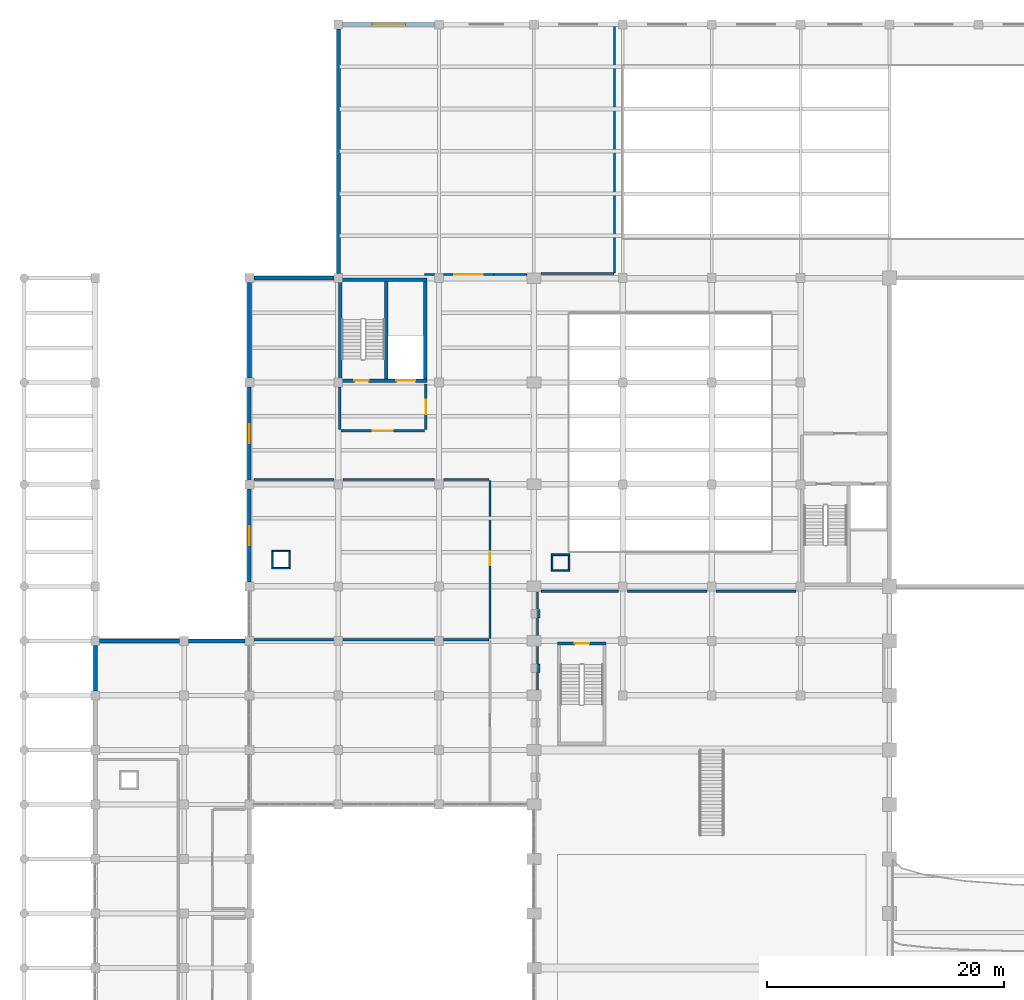
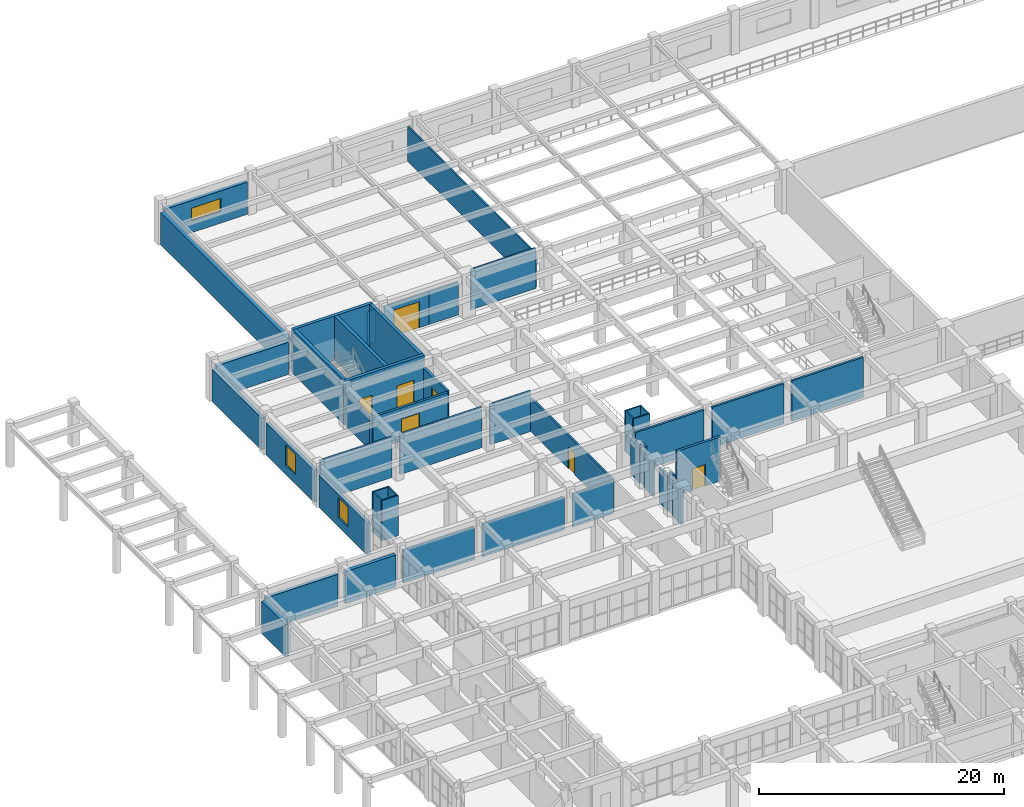
# One storey, part 98 of 116: 47 walls, 7 doors, 3 windows, 10 openings.
"""IFC4 building model written with IfcOpenShell, lengths in metres."""

from ifc_helpers import new_model, si_unit, direction, frame, frame_2d, origin, place, context, subcontext, project, spatial, rectangle, extrude, material, layer, layer_set, type_object, element, fill, save


model = new_model("IFC4")

# Units and contexts
model_context = context("Model", 3, precision=1e-05, world=origin(), true_north=direction((0.0, 1.0)))
body_context = subcontext(model_context, "Body", "Model", "MODEL_VIEW")
ifc_project = project(units=[si_unit("LENGTHUNIT", "METRE"), si_unit("AREAUNIT", "SQUARE_METRE"), si_unit("VOLUMEUNIT", "CUBIC_METRE"), si_unit("PLANEANGLEUNIT", "RADIAN"), si_unit("MASSUNIT", "GRAM", prefix="KILO")], contexts=[model_context])

# Site, building, storey
site_placement = place(None, origin())
site = spatial("IfcSite", under=ifc_project, at=site_placement, CompositionType="ELEMENT")
building_placement = place(site_placement, origin())
building = spatial("IfcBuilding", under=site, at=building_placement, Name="Muzn Square Opera House", CompositionType="ELEMENT")
storey_placement = place(building_placement, frame((0.0, 0.0, 5.39990234375)))
storey = spatial("IfcBuildingStorey", under=building, at=storey_placement, Name="L01", CompositionType="ELEMENT", Elevation=5.39990234375)

# Wall, opening, door
ifc_material_1 = material(Name="Concrete C45/55", Category="concrete")
ifc_layer_1 = layer(ifc_material_1, 0.25, Name="Concrete C45/55", Category="concrete")
ifc_layer_set_1 = layer_set([ifc_layer_1], Name="Concrete C45/55")
wall_type_1 = type_object("IfcWallType", Name="Aux Stair Enclosure Wall 250mm", PredefinedType="SHEAR", material=ifc_layer_set_1)
wall_1_placement = place(storey_placement, frame((45.0, 67.77490234375, 0.0), z_axis=(0.0, 0.0, 1.0), x_axis=(1.0, 0.0, 0.0)))
wall_1 = element("IfcWall", 1, at=wall_1_placement, inside=storey, type_object=wall_type_1, Name="Escape Stair ST-9 Wall N L01", PredefinedType="SHEAR", context=body_context, shape_type="SweptSolid", body=[
    extrude(rectangle(XDim=4.10009765625, YDim=0.25, at=frame_2d((2.050048828125, 0.0))), origin(), (0.0, 0.0, 1.0), 4.400146484375),
])
opening_1_placement = place(wall_1_placement, frame((1.449951171875, 0.0, 0.0)))
opening_1 = element("IfcOpeningElement", 2, at=opening_1_placement, cuts=wall_1, Name="Opening DR-ST12", PredefinedType="OPENING", context=body_context, shape_type="SweptSolid", body=[
    extrude(rectangle(XDim=1.199951171875, YDim=2.14990234375, at=frame_2d((0.60009765625, 1.074951171875))), frame((0.0, 0.135009765625, 0.0), z_axis=(0.0, -1.0, 0.0), x_axis=(1.0, 0.0, 0.0)), (0.0, 0.0, 1.0), 0.27001953125),
])
ifc_material_2 = material(Name="Galvanised painted steel leaf", Category="metal")
door_type_1 = type_object("IfcDoorType", Name="Core Stair Fire Door 1200x2150", OperationType="NOTDEFINED", PredefinedType="DOOR", material=ifc_material_2)
door_1_placement = place(opening_1_placement, origin())
door_1 = element("IfcDoor", 3, at=door_1_placement, inside=storey, type_object=door_type_1, Name="Escape Stair ST-9 Door L01", OperationType="SINGLE_SWING_LEFT", OverallHeight=2.14990234375, OverallWidth=1.199951171875, PredefinedType="DOOR", context=body_context, shape_type="SweptSolid", body=[
    extrude(rectangle(XDim=1.199951171875, YDim=2.14990234375, at=frame_2d((0.60009765625, 1.074951171875))), frame((0.0, 0.02490234375, 0.0), z_axis=(0.0, -1.0, 0.0), x_axis=(1.0, 0.0, 0.0)), (0.0, 0.0, 1.0), 0.050048828125),
])
fill(opening_1, door_1)

# Walls
ifc_layer_2 = layer(ifc_material_1, 0.300048828125, Name="Concrete C45/55", Category="concrete")
ifc_layer_set_2 = layer_set([ifc_layer_2], Name="Concrete C45/55")
wall_type_2 = type_object("IfcWallType", Name="Core Shear Wall 300mm", PredefinedType="SHEAR", material=ifc_layer_set_2)
wall_2_placement = place(storey_placement, frame((26.5, 98.449951171875, 0.0), z_axis=(0.0, 0.0, 1.0), x_axis=(1.0, 0.0, 0.0)))
element("IfcWall", 4, at=wall_2_placement, inside=storey, type_object=wall_type_2, Name="Core C6 Shear Wall SW-C6-L01-N", PredefinedType="SHEAR", context=body_context, shape_type="SweptSolid", body=[
    extrude(rectangle(XDim=7.5, YDim=0.300048828125, at=frame_2d((3.75, 0.0))), origin(), (0.0, 0.0, 1.0), 4.400146484375),
])
for number, where, z_axis, x_axis, name in (
    (5, (26.64990234375, 90.10009765625, 0.0), (0.0, 0.0, 1.0), (0.0, 1.0, 0.0), "Core C6 Shear Wall SW-C6-L01-W"),
    (6, (33.85009765625, 90.10009765625, 0.0), (0.0, 0.0, 1.0), (0.0, 1.0, 0.0), "Core C6 Shear Wall SW-C6-L01-E"),
    (7, (30.550048828125, 90.10009765625, 0.0), (0.0, 0.0, 1.0), (0.0, 1.0, 0.0), "Core C6 Shear Wall SW-C6-L01-DIV"),
):
    element("IfcWall", number, at=place(storey_placement, frame(where, z_axis=z_axis, x_axis=x_axis)), inside=storey, type_object=wall_type_2, Name=name, PredefinedType="SHEAR", context=body_context, shape_type="SweptSolid", body=[
        extrude(rectangle(XDim=8.199951171875, YDim=0.300048828125, at=frame_2d((4.10009765625, 0.0))), origin(), (0.0, 0.0, 1.0), 4.400146484375),
    ])

# Wall, openings, doors
wall_3_placement = place(storey_placement, frame((26.5, 89.949951171875, 0.0), z_axis=(0.0, 0.0, 1.0), x_axis=(1.0, 0.0, 0.0)))
wall_3 = element("IfcWall", 8, at=wall_3_placement, inside=storey, type_object=wall_type_2, Name="Core C6 Front Shear Wall L01", PredefinedType="SHEAR", context=body_context, shape_type="SweptSolid", body=[
    extrude(rectangle(XDim=7.5, YDim=0.300048828125, at=frame_2d((3.75, 0.0))), origin(), (0.0, 0.0, 1.0), 4.400146484375),
])
opening_2_placement = place(wall_3_placement, frame((2.550048828125, 0.0, 0.0), z_axis=(0.0, 0.0, 1.0), x_axis=(-1.0, 0.0, 0.0)))
opening_2 = element("IfcOpeningElement", 9, at=opening_2_placement, cuts=wall_3, Name="Opening DR-ST12", PredefinedType="OPENING", context=body_context, shape_type="SweptSolid", body=[
    extrude(rectangle(XDim=1.199951171875, YDim=2.14990234375, at=frame_2d((0.60009765625, 1.074951171875))), frame((0.0, 0.159912109375, 0.0), z_axis=(0.0, -1.0, 0.0), x_axis=(1.0, 0.0, 0.0)), (0.0, 0.0, 1.0), 0.320068359375),
])
opening_3_placement = place(wall_3_placement, frame((4.89990234375, 0.0, 0.0)))
opening_3 = element("IfcOpeningElement", 10, at=opening_3_placement, cuts=wall_3, Name="Opening LD-02", PredefinedType="OPENING", context=body_context, shape_type="SweptSolid", body=[
    extrude(rectangle(XDim=1.60009765625, YDim=2.25, at=frame_2d((0.800048828125, 1.125))), frame((0.0, 0.159912109375, 0.0), z_axis=(0.0, -1.0, 0.0), x_axis=(1.0, 0.0, 0.0)), (0.0, 0.0, 1.0), 0.320068359375),
])
door_2_placement = place(opening_2_placement, origin())
door_2 = element("IfcDoor", 11, at=door_2_placement, inside=storey, type_object=door_type_1, Name="Core C6 Stair Door L01", OperationType="SINGLE_SWING_RIGHT", OverallHeight=2.14990234375, OverallWidth=1.199951171875, PredefinedType="DOOR", context=body_context, shape_type="SweptSolid", body=[
    extrude(rectangle(XDim=1.199951171875, YDim=2.14990234375, at=frame_2d((0.60009765625, 1.074951171875))), frame((0.0, 0.02490234375, 0.0), z_axis=(0.0, -1.0, 0.0), x_axis=(1.0, 0.0, 0.0)), (0.0, 0.0, 1.0), 0.050048828125),
])
fill(opening_2, door_2)
ifc_material_3 = material(Name="Brushed stainless steel", Category="metal")
door_type_2 = type_object("IfcDoorType", Name="Goods Lift Sliding Door 1600x2250", OperationType="SLIDING_TO_LEFT", PredefinedType="DOOR", material=ifc_material_3)
door_3_placement = place(opening_3_placement, origin())
door_3 = element("IfcDoor", 12, at=door_3_placement, inside=storey, type_object=door_type_2, Name="Lift GL-1 Sliding Landing Door L01", OperationType="SLIDING_TO_LEFT", OverallHeight=2.25, OverallWidth=1.60009765625, PredefinedType="DOOR", context=body_context, shape_type="SweptSolid", body=[
    extrude(rectangle(XDim=1.60009765625, YDim=2.25, at=frame_2d((0.800048828125, 1.125))), frame((0.0, 0.02490234375, 0.0), z_axis=(0.0, -1.0, 0.0), x_axis=(1.0, 0.0, 0.0)), (0.0, 0.0, 1.0), 0.050048828125),
])
fill(opening_3, door_3)

# Walls
ifc_material_4 = material(Name="Acoustic gypsum stud partition", Category="gypsum")
ifc_layer_3 = layer(ifc_material_4, 0.199951171875, Name="Acoustic gypsum stud partition", Category="gypsum")
ifc_layer_set_3 = layer_set([ifc_layer_3], Name="Acoustic gypsum stud partition")
wall_type_3 = type_object("IfcWallType", Name="Corridor Rated Partition 200mm", PredefinedType="PARTITIONING", material=ifc_layer_set_3)
for number, where, z_axis, x_axis, name in (
    (13, (43.300048828125, 66.070068359375, 0.0), (0.0, 0.0, 1.0), (0.0, 1.0, 0.0), "Interior Partition PW-L01-0147"),
    (14, (43.300048828125, 68.469970703125, 0.0), (0.0, 0.0, 1.0), (0.0, 1.0, 0.0), "Interior Partition PW-L01-0148"),
    (15, (43.300048828125, 63.8701171875, 0.0), (0.0, 0.0, 1.0), (0.0, 1.0, 0.0), "Interior Partition PW-L01-0152"),
    (16, (43.300048828125, 70.669921875, 0.0), (0.0, 0.0, 1.0), (0.0, 1.0, 0.0), "Interior Partition PW-L01-0154"),
):
    element("IfcWall", number, at=place(storey_placement, frame(where, z_axis=z_axis, x_axis=x_axis)), inside=storey, type_object=wall_type_3, Name=name, PredefinedType="PARTITIONING", context=body_context, shape_type="SweptSolid", body=[
        extrude(rectangle(XDim=1.4599609375, YDim=0.199951171875, at=frame_2d((0.72998046875, 0.0))), origin(), (0.0, 0.0, 1.0), 3.5),
    ])
wall_4_placement = place(storey_placement, frame((43.6201171875, 72.199951171875, 0.0), z_axis=(0.0, 0.0, 1.0), x_axis=(1.0, 0.0, 0.0)))
element("IfcWall", 17, at=wall_4_placement, inside=storey, type_object=wall_type_3, Name="Room Enclosure Partition PW-L01-0192", PredefinedType="PARTITIONING", context=body_context, shape_type="SweptSolid", body=[
    extrude(rectangle(XDim=6.5, YDim=0.199951171875, at=frame_2d((3.25, 0.0))), origin(), (0.0, 0.0, 1.0), 4.02001953125),
])
for number, where, z_axis, x_axis, name in (
    (18, (50.8798828125, 72.199951171875, 0.0), (0.0, 0.0, 1.0), (1.0, 0.0, 0.0), "Room Enclosure Partition PW-L01-0193"),
    (19, (58.3798828125, 72.199951171875, 0.0), (0.0, 0.0, 1.0), (1.0, 0.0, 0.0), "Room Enclosure Partition PW-L01-0194"),
):
    element("IfcWall", number, at=place(storey_placement, frame(where, z_axis=z_axis, x_axis=x_axis)), inside=storey, type_object=wall_type_3, Name=name, PredefinedType="PARTITIONING", context=body_context, shape_type="SweptSolid", body=[
        extrude(rectangle(XDim=6.740234375, YDim=0.199951171875, at=frame_2d((3.3701171875, 0.0))), origin(), (0.0, 0.0, 1.0), 4.02001953125),
    ])
for number, where, z_axis, x_axis, name in (
    (20, (43.39990234375, 65.35009765625, 0.0), (0.0, 0.0, 1.0), (0.0, 1.0, 0.0), "Room Enclosure Partition PW-L01-0197"),
    (21, (43.39990234375, 69.949951171875, 0.0), (0.0, 0.0, 1.0), (0.0, 1.0, 0.0), "Room Enclosure Partition PW-L01-0198"),
):
    element("IfcWall", number, at=place(storey_placement, frame(where, z_axis=z_axis, x_axis=x_axis)), inside=storey, type_object=wall_type_3, Name=name, PredefinedType="PARTITIONING", context=body_context, shape_type="SweptSolid", body=[
        extrude(rectangle(XDim=0.699951171875, YDim=0.199951171875, at=frame_2d((0.35009765625, 0.0))), origin(), (0.0, 0.0, 1.0), 4.02001953125),
    ])
ifc_layer_4 = layer(ifc_material_4, 0.179931640625, Name="Acoustic gypsum stud partition", Category="gypsum")
ifc_layer_set_4 = layer_set([ifc_layer_4], Name="Acoustic gypsum stud partition")
wall_type_4 = type_object("IfcWallType", Name="Dressing Suite Partition 180mm", PredefinedType="PARTITIONING", material=ifc_layer_set_4)
wall_5_placement = place(storey_placement, frame((26.89501953125, 68.10009765625, 0.0), z_axis=(0.0, 0.0, 1.0), x_axis=(1.0, 0.0, 0.0)))
element("IfcWall", 22, at=wall_5_placement, inside=storey, type_object=wall_type_4, Name="Interior Partition PW-L01-0175", PredefinedType="PARTITIONING", context=body_context, shape_type="SweptSolid", body=[
    extrude(rectangle(XDim=7.7099609375, YDim=0.179931640625, at=frame_2d((3.85498046875, 0.0))), origin(), (0.0, 0.0, 1.0), 3.300048828125),
])
wall_6_placement = place(storey_placement, frame((19.39990234375, 68.10009765625, 0.0), z_axis=(0.0, 0.0, 1.0), x_axis=(1.0, 0.0, 0.0)))
element("IfcWall", 23, at=wall_6_placement, inside=storey, type_object=wall_type_4, Name="Interior Partition PW-L01-0176", PredefinedType="PARTITIONING", context=body_context, shape_type="SweptSolid", body=[
    extrude(rectangle(XDim=6.705078125, YDim=0.179931640625, at=frame_2d((3.3525390625, 0.0))), origin(), (0.0, 0.0, 1.0), 3.300048828125),
])
wall_7_placement = place(storey_placement, frame((35.39501953125, 68.10009765625, 0.0), z_axis=(0.0, 0.0, 1.0), x_axis=(1.0, 0.0, 0.0)))
element("IfcWall", 24, at=wall_7_placement, inside=storey, type_object=wall_type_4, Name="Interior Partition PW-L01-0177", PredefinedType="PARTITIONING", context=body_context, shape_type="SweptSolid", body=[
    extrude(rectangle(XDim=3.804931640625, YDim=0.179931640625, at=frame_2d((1.90234375, 0.0))), origin(), (0.0, 0.0, 1.0), 3.300048828125),
])

# Wall, opening, door
wall_8_placement = place(storey_placement, frame((39.300048828125, 68.199951171875, 0.0), z_axis=(0.0, 0.0, 1.0), x_axis=(0.0, 1.0, 0.0)))
wall_8 = element("IfcWall", 25, at=wall_8_placement, inside=storey, type_object=wall_type_4, Name="Interior Partition PW-L01-0179", PredefinedType="PARTITIONING", context=body_context, shape_type="SweptSolid", body=[
    extrude(rectangle(XDim=13.324951171875, YDim=0.179931640625, at=frame_2d((6.66259765625, 0.0))), origin(), (0.0, 0.0, 1.0), 3.300048828125),
])
opening_4_placement = place(wall_8_placement, frame((6.175048828125, 0.0, 0.0)))
opening_4 = element("IfcOpeningElement", 26, at=opening_4_placement, cuts=wall_8, Name="Opening DR-CD10", PredefinedType="OPENING", context=body_context, shape_type="SweptSolid", body=[
    extrude(rectangle(XDim=1.050048828125, YDim=2.14990234375, at=frame_2d((0.52490234375, 1.074951171875))), frame((0.0, 0.099853515625, 0.0), z_axis=(0.0, -1.0, 0.0), x_axis=(1.0, 0.0, 0.0)), (0.0, 0.0, 1.0), 0.199951171875),
])
ifc_material_5 = material(Name="Acoustic hardwood leaf", Category="wood")
door_type_3 = type_object("IfcDoorType", Name="Chorus Dressing Door 1050x2150", OperationType="NOTDEFINED", PredefinedType="DOOR", material=ifc_material_5)
door_4_placement = place(opening_4_placement, origin())
door_4 = element("IfcDoor", 27, at=door_4_placement, inside=storey, type_object=door_type_3, Name="Chorus Dressing Room Men Door DR-L01-0062", OperationType="SINGLE_SWING_LEFT", OverallHeight=2.14990234375, OverallWidth=1.050048828125, PredefinedType="DOOR", context=body_context, shape_type="SweptSolid", body=[
    extrude(rectangle(XDim=1.050048828125, YDim=2.14990234375, at=frame_2d((0.52490234375, 1.074951171875))), frame((0.0, 0.02490234375, 0.0), z_axis=(0.0, -1.0, 0.0), x_axis=(1.0, 0.0, 0.0)), (0.0, 0.0, 1.0), 0.050048828125),
])
fill(opening_4, door_4)

# Walls
wall_9_placement = place(storey_placement, frame((19.3798828125, 81.60009765625, 0.0), z_axis=(0.0, 0.0, 1.0), x_axis=(1.0, 0.0, 0.0)))
element("IfcWall", 28, at=wall_9_placement, inside=storey, type_object=wall_type_4, Name="Room Enclosure Partition PW-L01-0230", PredefinedType="PARTITIONING", context=body_context, shape_type="SweptSolid", body=[
    extrude(rectangle(XDim=6.740234375, YDim=0.179931640625, at=frame_2d((3.3701171875, 0.0))), origin(), (0.0, 0.0, 1.0), 4.02001953125),
])
wall_10_placement = place(storey_placement, frame((26.8798828125, 81.60009765625, 0.0), z_axis=(0.0, 0.0, 1.0), x_axis=(1.0, 0.0, 0.0)))
element("IfcWall", 29, at=wall_10_placement, inside=storey, type_object=wall_type_4, Name="Room Enclosure Partition PW-L01-0231", PredefinedType="PARTITIONING", context=body_context, shape_type="SweptSolid", body=[
    extrude(rectangle(XDim=7.740234375, YDim=0.179931640625, at=frame_2d((3.8701171875, 0.0))), origin(), (0.0, 0.0, 1.0), 4.02001953125),
])
wall_11_placement = place(storey_placement, frame((35.3798828125, 81.60009765625, 0.0), z_axis=(0.0, 0.0, 1.0), x_axis=(1.0, 0.0, 0.0)))
element("IfcWall", 30, at=wall_11_placement, inside=storey, type_object=wall_type_4, Name="Room Enclosure Partition PW-L01-0232", PredefinedType="PARTITIONING", context=body_context, shape_type="SweptSolid", body=[
    extrude(rectangle(XDim=3.820068359375, YDim=0.179931640625, at=frame_2d((1.91015625, 0.0))), origin(), (0.0, 0.0, 1.0), 4.02001953125),
])

# Wall, opening, window
ifc_material_6 = material(Name="Concrete C40/50", Category="concrete")
ifc_layer_5 = layer(ifc_material_6, 0.31005859375, Name="Concrete C40/50", Category="concrete")
ifc_layer_set_5 = layer_set([ifc_layer_5], Name="Concrete C40/50")
wall_type_5 = type_object("IfcWallType", Name="Exterior Gallery Facade Wall 310mm", PredefinedType="SOLIDWALL", material=ifc_layer_set_5)
wall_12_placement = place(storey_placement, frame((19.0, 72.97509765625, 0.0), z_axis=(0.0, 0.0, 1.0), x_axis=(0.0, 1.0, 0.0)))
wall_12 = element("IfcWall", 31, at=wall_12_placement, inside=storey, type_object=wall_type_5, Name="Exterior Facade Wall EW-L01-079", PredefinedType="SOLIDWALL", context=body_context, shape_type="SweptSolid", body=[
    extrude(rectangle(XDim=7.849853515625, YDim=0.31005859375, at=frame_2d((3.9248046875, 0.0))), origin(), (0.0, 0.0, 1.0), 3.2001953125),
])
opening_5_placement = place(wall_12_placement, frame((3.10498046875, 0.0, 0.89990234375)))
opening_5 = element("IfcOpeningElement", 32, at=opening_5_placement, cuts=wall_12, Name="Opening WN-A1620", PredefinedType="OPENING", context=body_context, shape_type="SweptSolid", body=[
    extrude(rectangle(XDim=1.60009765625, YDim=2.0, at=frame_2d((0.800048828125, 1.0))), frame((0.0, 0.1650390625, 0.0), z_axis=(0.0, -1.0, 0.0), x_axis=(1.0, 0.0, 0.0)), (0.0, 0.0, 1.0), 0.330078125),
])
ifc_material_7 = material(Name="Low-E laminated acoustic double glazing", Category="glass")
window_type_1 = type_object("IfcWindowType", Name="Chorus Dressing Window 1600x2000", PartitioningType="DOUBLE_PANEL_VERTICAL", PredefinedType="WINDOW", material=ifc_material_7)
window_1_placement = place(opening_5_placement, origin())
window_1 = element("IfcWindow", 33, at=window_1_placement, inside=storey, type_object=window_type_1, Name="Chorus Dressing Window 1600x2000 EW-L01-079-WN01", OverallHeight=2.0, OverallWidth=1.60009765625, PartitioningType="SINGLE_PANEL", PredefinedType="WINDOW", context=body_context, shape_type="SweptSolid", body=[
    extrude(rectangle(XDim=1.60009765625, YDim=2.0, at=frame_2d((0.800048828125, 1.0))), frame((0.0, 0.030029296875, 0.0), z_axis=(0.0, -1.0, 0.0), x_axis=(1.0, 0.0, 0.0)), (0.0, 0.0, 1.0), 0.06005859375),
])
fill(opening_5, window_1)

wall_13_placement = place(storey_placement, frame((19.0, 81.574951171875, 0.0), z_axis=(0.0, 0.0, 1.0), x_axis=(0.0, 1.0, 0.0)))
wall_13 = element("IfcWall", 34, at=wall_13_placement, inside=storey, type_object=wall_type_5, Name="Exterior Facade Wall EW-L01-080", PredefinedType="SOLIDWALL", context=body_context, shape_type="SweptSolid", body=[
    extrude(rectangle(XDim=7.85009765625, YDim=0.31005859375, at=frame_2d((3.925048828125, 0.0))), origin(), (0.0, 0.0, 1.0), 3.2001953125),
])
opening_6_placement = place(wall_13_placement, frame((3.10498046875, 0.0, 0.89990234375)))
opening_6 = element("IfcOpeningElement", 35, at=opening_6_placement, cuts=wall_13, Name="Opening WN-A1620", PredefinedType="OPENING", context=body_context, shape_type="SweptSolid", body=[
    extrude(rectangle(XDim=1.60009765625, YDim=2.0, at=frame_2d((0.800048828125, 1.0))), frame((0.0, 0.1650390625, 0.0), z_axis=(0.0, -1.0, 0.0), x_axis=(1.0, 0.0, 0.0)), (0.0, 0.0, 1.0), 0.330078125),
])
window_2_placement = place(opening_6_placement, origin())
window_2 = element("IfcWindow", 36, at=window_2_placement, inside=storey, type_object=window_type_1, Name="Chorus Dressing Window 1600x2000 EW-L01-080-WN01", OverallHeight=2.0, OverallWidth=1.60009765625, PartitioningType="SINGLE_PANEL", PredefinedType="WINDOW", context=body_context, shape_type="SweptSolid", body=[
    extrude(rectangle(XDim=1.60009765625, YDim=2.0, at=frame_2d((0.800048828125, 1.0))), frame((0.0, 0.030029296875, 0.0), z_axis=(0.0, -1.0, 0.0), x_axis=(1.0, 0.0, 0.0)), (0.0, 0.0, 1.0), 0.06005859375),
])
fill(opening_6, window_2)

ifc_layer_6 = layer(ifc_material_6, 0.340087890625, Name="Concrete C40/50", Category="concrete")
ifc_layer_set_6 = layer_set([ifc_layer_6], Name="Concrete C40/50")
wall_type_6 = type_object("IfcWallType", Name="Exterior Insulated Spandrel Wall 340mm", PredefinedType="SOLIDWALL", material=ifc_layer_set_6)
wall_14_placement = place(storey_placement, frame((26.875, 120.0, 0.0), z_axis=(0.0, 0.0, 1.0), x_axis=(1.0, 0.0, 0.0)))
wall_14 = element("IfcWall", 37, at=wall_14_placement, inside=storey, type_object=wall_type_6, Name="Exterior Facade Wall EW-L01-043", PredefinedType="SOLIDWALL", context=body_context, shape_type="SweptSolid", body=[
    extrude(rectangle(XDim=7.75, YDim=0.340087890625, at=frame_2d((3.875, 0.0))), origin(), (0.0, 0.0, 1.0), 3.2001953125),
])
opening_7_placement = place(wall_14_placement, frame((2.47509765625, 0.0, 1.14990234375)))
opening_7 = element("IfcOpeningElement", 38, at=opening_7_placement, cuts=wall_14, Name="Opening WN-S2813", PredefinedType="OPENING", context=body_context, shape_type="SweptSolid", body=[
    extrude(rectangle(XDim=2.800048828125, YDim=1.300048828125, at=frame_2d((1.39990234375, 0.64990234375))), frame((0.0, 0.179931640625, 0.0), z_axis=(0.0, -1.0, 0.0), x_axis=(1.0, 0.0, 0.0)), (0.0, 0.0, 1.0), 0.360107421875),
])
window_type_2 = type_object("IfcWindowType", Name="Scenery Clerestory Window 2800x1300", PartitioningType="DOUBLE_PANEL_HORIZONTAL", PredefinedType="WINDOW", material=ifc_material_7)
window_3_placement = place(opening_7_placement, origin())
window_3 = element("IfcWindow", 39, at=window_3_placement, inside=storey, type_object=window_type_2, Name="Scenery Clerestory Window 2800x1300 EW-L01-043-WN01", OverallHeight=1.300048828125, OverallWidth=2.800048828125, PartitioningType="SINGLE_PANEL", PredefinedType="WINDOW", context=body_context, shape_type="SweptSolid", body=[
    extrude(rectangle(XDim=2.800048828125, YDim=1.300048828125, at=frame_2d((1.39990234375, 0.64990234375))), frame((0.0, 0.030029296875, 0.0), z_axis=(0.0, -1.0, 0.0), x_axis=(1.0, 0.0, 0.0)), (0.0, 0.0, 1.0), 0.06005859375),
])
fill(opening_7, window_3)

# Walls
wall_15_placement = place(storey_placement, frame((6.0, 63.77490234375, 0.0), z_axis=(0.0, 0.0, 1.0), x_axis=(0.0, 1.0, 0.0)))
element("IfcWall", 40, at=wall_15_placement, inside=storey, type_object=wall_type_6, Name="Exterior Facade Wall EW-L01-149", PredefinedType="SOLIDWALL", context=body_context, shape_type="SweptSolid", body=[
    extrude(rectangle(XDim=3.85009765625, YDim=0.340087890625, at=frame_2d((1.925048828125, 0.0))), origin(), (0.0, 0.0, 1.0), 3.2001953125),
])
wall_16_placement = place(storey_placement, frame((6.375, 68.0, 0.0), z_axis=(0.0, 0.0, 1.0), x_axis=(1.0, 0.0, 0.0)))
element("IfcWall", 41, at=wall_16_placement, inside=storey, type_object=wall_type_6, Name="Exterior Facade Wall EW-L01-150", PredefinedType="SOLIDWALL", context=body_context, shape_type="SweptSolid", body=[
    extrude(rectangle(XDim=6.75, YDim=0.340087890625, at=frame_2d((3.375, 0.0))), origin(), (0.0, 0.0, 1.0), 3.2001953125),
])
wall_17_placement = place(storey_placement, frame((13.875, 68.0, 0.0), z_axis=(0.0, 0.0, 1.0), x_axis=(1.0, 0.0, 0.0)))
element("IfcWall", 42, at=wall_17_placement, inside=storey, type_object=wall_type_6, Name="Exterior Facade Wall EW-L01-151", PredefinedType="SOLIDWALL", context=body_context, shape_type="SweptSolid", body=[
    extrude(rectangle(XDim=4.75, YDim=0.340087890625, at=frame_2d((2.375, 0.0))), origin(), (0.0, 0.0, 1.0), 3.2001953125),
])
wall_18_placement = place(storey_placement, frame((19.0, 90.175048828125, 0.0), z_axis=(0.0, 0.0, 1.0), x_axis=(0.0, 1.0, 0.0)))
element("IfcWall", 43, at=wall_18_placement, inside=storey, type_object=wall_type_6, Name="Exterior Facade Wall EW-L01-152", PredefinedType="SOLIDWALL", context=body_context, shape_type="SweptSolid", body=[
    extrude(rectangle(XDim=8.050048828125, YDim=0.340087890625, at=frame_2d((4.02490234375, 0.0))), origin(), (0.0, 0.0, 1.0), 3.2001953125),
])
wall_19_placement = place(storey_placement, frame((19.375, 98.60009765625, 0.0), z_axis=(0.0, 0.0, 1.0), x_axis=(1.0, 0.0, 0.0)))
element("IfcWall", 44, at=wall_19_placement, inside=storey, type_object=wall_type_6, Name="Exterior Facade Wall EW-L01-153", PredefinedType="SOLIDWALL", context=body_context, shape_type="SweptSolid", body=[
    extrude(rectangle(XDim=6.75, YDim=0.340087890625, at=frame_2d((3.375, 0.0))), origin(), (0.0, 0.0, 1.0), 3.2001953125),
])
wall_20_placement = place(storey_placement, frame((26.5, 98.97509765625, 0.0), z_axis=(0.0, 0.0, 1.0), x_axis=(0.0, 1.0, 0.0)))
element("IfcWall", 45, at=wall_20_placement, inside=storey, type_object=wall_type_6, Name="Exterior Facade Wall EW-L01-154", PredefinedType="SOLIDWALL", context=body_context, shape_type="SweptSolid", body=[
    extrude(rectangle(XDim=20.64990234375, YDim=0.340087890625, at=frame_2d((10.324951171875, 0.0))), origin(), (0.0, 0.0, 1.0), 3.2001953125),
])

# Wall, opening, door
ifc_layer_7 = layer(ifc_material_6, 0.219970703125, Name="Concrete C40/50", Category="concrete")
ifc_layer_set_7 = layer_set([ifc_layer_7], Name="Concrete C40/50")
wall_type_7 = type_object("IfcWallType", Name="Lift Lobby Wall 220mm", PredefinedType="SOLIDWALL", material=ifc_layer_set_7)
wall_21_placement = place(storey_placement, frame((26.719970703125, 85.7099609375, 0.0), z_axis=(0.0, 0.0, 1.0), x_axis=(1.0, 0.0, 0.0)))
wall_21 = element("IfcWall", 46, at=wall_21_placement, inside=storey, type_object=wall_type_7, Name="Lobby C6 Enclosure Wall L01", PredefinedType="SOLIDWALL", context=body_context, shape_type="SweptSolid", body=[
    extrude(rectangle(XDim=7.06005859375, YDim=0.219970703125, at=frame_2d((3.530029296875, 0.0))), origin(), (0.0, 0.0, 1.0), 3.300048828125),
])
opening_8_placement = place(wall_21_placement, frame((4.3798828125, 0.0, 0.0), z_axis=(0.0, 0.0, 1.0), x_axis=(-1.0, 0.0, 0.0)))
opening_8 = element("IfcOpeningElement", 47, at=opening_8_placement, cuts=wall_21, Name="Opening DR-LL17", PredefinedType="OPENING", context=body_context, shape_type="SweptSolid", body=[
    extrude(rectangle(XDim=1.699951171875, YDim=2.179931640625, at=frame_2d((0.85009765625, 1.08984375))), frame((0.0, 0.119873046875, 0.0), z_axis=(0.0, -1.0, 0.0), x_axis=(1.0, 0.0, 0.0)), (0.0, 0.0, 1.0), 0.239990234375),
])
door_type_4 = type_object("IfcDoorType", Name="Lift Lobby Double Door 1700x2180", OperationType="DOUBLE_DOOR_SINGLE_SWING", PredefinedType="DOOR", material=ifc_material_5)
door_5_placement = place(opening_8_placement, origin())
door_5 = element("IfcDoor", 48, at=door_5_placement, inside=storey, type_object=door_type_4, Name="Lobby C6 Fire Door L01", OperationType="DOUBLE_DOOR_SINGLE_SWING", OverallHeight=2.179931640625, OverallWidth=1.699951171875, PredefinedType="DOOR", context=body_context, shape_type="SweptSolid", body=[
    extrude(rectangle(XDim=1.699951171875, YDim=2.179931640625, at=frame_2d((0.85009765625, 1.08984375))), frame((0.0, 0.02490234375, 0.0), z_axis=(0.0, -1.0, 0.0), x_axis=(1.0, 0.0, 0.0)), (0.0, 0.0, 1.0), 0.050048828125),
])
fill(opening_8, door_5)

# Wall
wall_22_placement = place(storey_placement, frame((26.610107421875, 85.820068359375, 0.0), z_axis=(0.0, 0.0, 1.0), x_axis=(0.0, 1.0, 0.0)))
element("IfcWall", 49, at=wall_22_placement, inside=storey, type_object=wall_type_7, Name="Lobby C6 Side Wall W L01", PredefinedType="SOLIDWALL", context=body_context, shape_type="SweptSolid", body=[
    extrude(rectangle(XDim=3.829833984375, YDim=0.219970703125, at=frame_2d((1.9150390625, 0.0))), origin(), (0.0, 0.0, 1.0), 3.300048828125),
])

# Wall, opening, door
wall_23_placement = place(storey_placement, frame((33.889892578125, 85.820068359375, 0.0), z_axis=(0.0, 0.0, 1.0), x_axis=(0.0, 1.0, 0.0)))
wall_23 = element("IfcWall", 50, at=wall_23_placement, inside=storey, type_object=wall_type_7, Name="Lobby C6 Side Wall E L01", PredefinedType="SOLIDWALL", context=body_context, shape_type="SweptSolid", body=[
    extrude(rectangle(XDim=3.829833984375, YDim=0.219970703125, at=frame_2d((1.9150390625, 0.0))), origin(), (0.0, 0.0, 1.0), 3.300048828125),
])
opening_9_placement = place(wall_23_placement, frame((2.514892578125, 0.0, 0.0), z_axis=(0.0, 0.0, 1.0), x_axis=(-1.0, 0.0, 0.0)))
opening_9 = element("IfcOpeningElement", 51, at=opening_9_placement, cuts=wall_23, Name="Opening DR-ST12", PredefinedType="OPENING", context=body_context, shape_type="SweptSolid", body=[
    extrude(rectangle(XDim=1.199951171875, YDim=2.14990234375, at=frame_2d((0.60009765625, 1.074951171875))), frame((0.0, 0.119873046875, 0.0), z_axis=(0.0, -1.0, 0.0), x_axis=(1.0, 0.0, 0.0)), (0.0, 0.0, 1.0), 0.239990234375),
])
door_6_placement = place(opening_9_placement, origin())
door_6 = element("IfcDoor", 52, at=door_6_placement, inside=storey, type_object=door_type_1, Name="Lobby C6 Side Door E L01", OperationType="SINGLE_SWING_LEFT", OverallHeight=2.14990234375, OverallWidth=1.199951171875, PredefinedType="DOOR", context=body_context, shape_type="SweptSolid", body=[
    extrude(rectangle(XDim=1.199951171875, YDim=2.14990234375, at=frame_2d((0.60009765625, 1.074951171875))), frame((0.0, 0.02490234375, 0.0), z_axis=(0.0, -1.0, 0.0), x_axis=(1.0, 0.0, 0.0)), (0.0, 0.0, 1.0), 0.050048828125),
])
fill(opening_9, door_6)

ifc_layer_8 = layer(ifc_material_4, 0.14990234375, Name="Acoustic gypsum stud partition", Category="gypsum")
ifc_layer_set_8 = layer_set([ifc_layer_8], Name="Acoustic gypsum stud partition")
wall_type_8 = type_object("IfcWallType", Name="Office Acoustic Partition 150mm", PredefinedType="PARTITIONING", material=ifc_layer_set_8)
wall_24_placement = place(storey_placement, frame((35.39501953125, 98.89990234375, 0.0), z_axis=(0.0, 0.0, 1.0), x_axis=(1.0, 0.0, 0.0)))
wall_24 = element("IfcWall", 53, at=wall_24_placement, inside=storey, type_object=wall_type_8, Name="Interior Partition PW-L01-0186", PredefinedType="PARTITIONING", context=body_context, shape_type="SweptSolid", body=[
    extrude(rectangle(XDim=4.205078125, YDim=0.14990234375, at=frame_2d((2.1025390625, 0.0))), origin(), (0.0, 0.0, 1.0), 3.300048828125),
])
opening_10_placement = place(wall_24_placement, frame((0.902587890625, 0.0, 0.0)))
opening_10 = element("IfcOpeningElement", 54, at=opening_10_placement, cuts=wall_24, Name="Opening DR-SC24", PredefinedType="OPENING", context=body_context, shape_type="SweptSolid", body=[
    extrude(rectangle(XDim=2.39990234375, YDim=2.60009765625, at=frame_2d((1.199951171875, 1.300048828125))), frame((0.0, 0.0849609375, 0.0), z_axis=(0.0, -1.0, 0.0), x_axis=(1.0, 0.0, 0.0)), (0.0, 0.0, 1.0), 0.169921875),
])
door_type_5 = type_object("IfcDoorType", Name="Stage Scenery Double Door 2400x2600", OperationType="DOUBLE_DOOR_SINGLE_SWING", PredefinedType="DOOR", material=ifc_material_2)
door_7_placement = place(opening_10_placement, origin())
door_7 = element("IfcDoor", 55, at=door_7_placement, inside=storey, type_object=door_type_5, Name="Backstage Audio Crew Room Door DR-L01-0068", OperationType="DOUBLE_DOOR_SINGLE_SWING", OverallHeight=2.60009765625, OverallWidth=2.39990234375, PredefinedType="DOOR", context=body_context, shape_type="SweptSolid", body=[
    extrude(rectangle(XDim=2.39990234375, YDim=2.60009765625, at=frame_2d((1.199951171875, 1.300048828125))), frame((0.0, 0.02490234375, 0.0), z_axis=(0.0, -1.0, 0.0), x_axis=(1.0, 0.0, 0.0)), (0.0, 0.0, 1.0), 0.050048828125),
])
fill(opening_10, door_7)

# Walls
wall_25_placement = place(storey_placement, frame((33.800048828125, 98.89990234375, 0.0), z_axis=(0.0, 0.0, 1.0), x_axis=(1.0, 0.0, 0.0)))
element("IfcWall", 56, at=wall_25_placement, inside=storey, type_object=wall_type_8, Name="Interior Partition PW-L01-0187", PredefinedType="PARTITIONING", context=body_context, shape_type="SweptSolid", body=[
    extrude(rectangle(XDim=0.804931640625, YDim=0.14990234375, at=frame_2d((0.40234375, 0.0))), origin(), (0.0, 0.0, 1.0), 3.300048828125),
])
wall_26_placement = place(storey_placement, frame((43.6201171875, 99.0, 0.0), z_axis=(0.0, 0.0, 1.0), x_axis=(1.0, 0.0, 0.0)))
element("IfcWall", 57, at=wall_26_placement, inside=storey, type_object=wall_type_8, Name="Room Enclosure Partition PW-L01-0244", PredefinedType="PARTITIONING", context=body_context, shape_type="SweptSolid", body=[
    extrude(rectangle(XDim=6.119873046875, YDim=0.14990234375, at=frame_2d((3.06005859375, 0.0))), origin(), (0.0, 0.0, 1.0), 4.02001953125),
])
wall_27_placement = place(storey_placement, frame((49.800048828125, 99.06005859375, 0.0), z_axis=(0.0, 0.0, 1.0), x_axis=(0.0, 1.0, 0.0)))
element("IfcWall", 58, at=wall_27_placement, inside=storey, type_object=wall_type_8, Name="Room Enclosure Partition PW-L01-0245", PredefinedType="PARTITIONING", context=body_context, shape_type="SweptSolid", body=[
    extrude(rectangle(XDim=20.764892578125, YDim=0.14990234375, at=frame_2d((10.38232421875, 0.0))), origin(), (0.0, 0.0, 1.0), 3.4501953125),
])
wall_28_placement = place(storey_placement, frame((39.6201171875, 98.89990234375, 0.0), z_axis=(0.0, 0.0, 1.0), x_axis=(1.0, 0.0, 0.0)))
element("IfcWall", 59, at=wall_28_placement, inside=storey, type_object=wall_type_8, Name="Interior Partition PW-L01-0185", PredefinedType="PARTITIONING", context=body_context, shape_type="SweptSolid", body=[
    extrude(rectangle(XDim=2.759765625, YDim=0.14990234375, at=frame_2d((1.3798828125, 0.0))), origin(), (0.0, 0.0, 1.0), 3.300048828125),
])
ifc_layer_9 = layer(ifc_material_4, 0.1298828125, Name="Acoustic gypsum stud partition", Category="gypsum")
ifc_layer_set_9 = layer_set([ifc_layer_9], Name="Acoustic gypsum stud partition")
wall_type_9 = type_object("IfcWallType", Name="Service Closet Partition 130mm", PredefinedType="PARTITIONING", material=ifc_layer_set_9)
for number, where, z_axis, x_axis, name in (
    (60, (44.469970703125, 73.93505859375, 0.0), (0.0, 0.0, 1.0), (1.0, 0.0, 0.0), "MEP Riser Shaft Wall RSR-SW L01-S"),
    (61, (44.469970703125, 75.264892578125, 0.0), (0.0, 0.0, 1.0), (1.0, 0.0, 0.0), "MEP Riser Shaft Wall RSR-SW L01-N"),
):
    element("IfcWall", number, at=place(storey_placement, frame(where, z_axis=z_axis, x_axis=x_axis)), inside=storey, type_object=wall_type_9, Name=name, PredefinedType="PARTITIONING", context=body_context, shape_type="SweptSolid", body=[
        extrude(rectangle(XDim=1.56005859375, YDim=0.1298828125, at=frame_2d((0.780029296875, 0.0))), origin(), (0.0, 0.0, 1.0), 4.02001953125),
    ])
for number, where, z_axis, x_axis, name in (
    (62, (44.534912109375, 74.0, 0.0), (0.0, 0.0, 1.0), (0.0, 1.0, 0.0), "MEP Riser Shaft Wall RSR-SW L01-W"),
    (63, (45.965087890625, 74.0, 0.0), (0.0, 0.0, 1.0), (0.0, 1.0, 0.0), "MEP Riser Shaft Wall RSR-SW L01-E"),
):
    element("IfcWall", number, at=place(storey_placement, frame(where, z_axis=z_axis, x_axis=x_axis)), inside=storey, type_object=wall_type_9, Name=name, PredefinedType="PARTITIONING", context=body_context, shape_type="SweptSolid", body=[
        extrude(rectangle(XDim=1.199951171875, YDim=0.1298828125, at=frame_2d((0.60009765625, 0.0))), origin(), (0.0, 0.0, 1.0), 4.02001953125),
    ])
for number, where, z_axis, x_axis, name in (
    (64, (20.8701171875, 74.135009765625, 0.0), (0.0, 0.0, 1.0), (1.0, 0.0, 0.0), "MEP Riser Shaft Wall RSR-WC L01-S"),
    (65, (20.8701171875, 75.56494140625, 0.0), (0.0, 0.0, 1.0), (1.0, 0.0, 0.0), "MEP Riser Shaft Wall RSR-WC L01-N"),
):
    element("IfcWall", number, at=place(storey_placement, frame(where, z_axis=z_axis, x_axis=x_axis)), inside=storey, type_object=wall_type_9, Name=name, PredefinedType="PARTITIONING", context=body_context, shape_type="SweptSolid", body=[
        extrude(rectangle(XDim=1.559814453125, YDim=0.1298828125, at=frame_2d((0.77978515625, 0.0))), origin(), (0.0, 0.0, 1.0), 4.02001953125),
    ])
for number, where, z_axis, x_axis, name in (
    (66, (20.93505859375, 74.199951171875, 0.0), (0.0, 0.0, 1.0), (0.0, 1.0, 0.0), "MEP Riser Shaft Wall RSR-WC L01-W"),
    (67, (22.364990234375, 74.199951171875, 0.0), (0.0, 0.0, 1.0), (0.0, 1.0, 0.0), "MEP Riser Shaft Wall RSR-WC L01-E"),
):
    element("IfcWall", number, at=place(storey_placement, frame(where, z_axis=z_axis, x_axis=x_axis)), inside=storey, type_object=wall_type_9, Name=name, PredefinedType="PARTITIONING", context=body_context, shape_type="SweptSolid", body=[
        extrude(rectangle(XDim=1.300048828125, YDim=0.1298828125, at=frame_2d((0.64990234375, 0.0))), origin(), (0.0, 0.0, 1.0), 4.02001953125),
    ])

save(model, "model.ifc")
